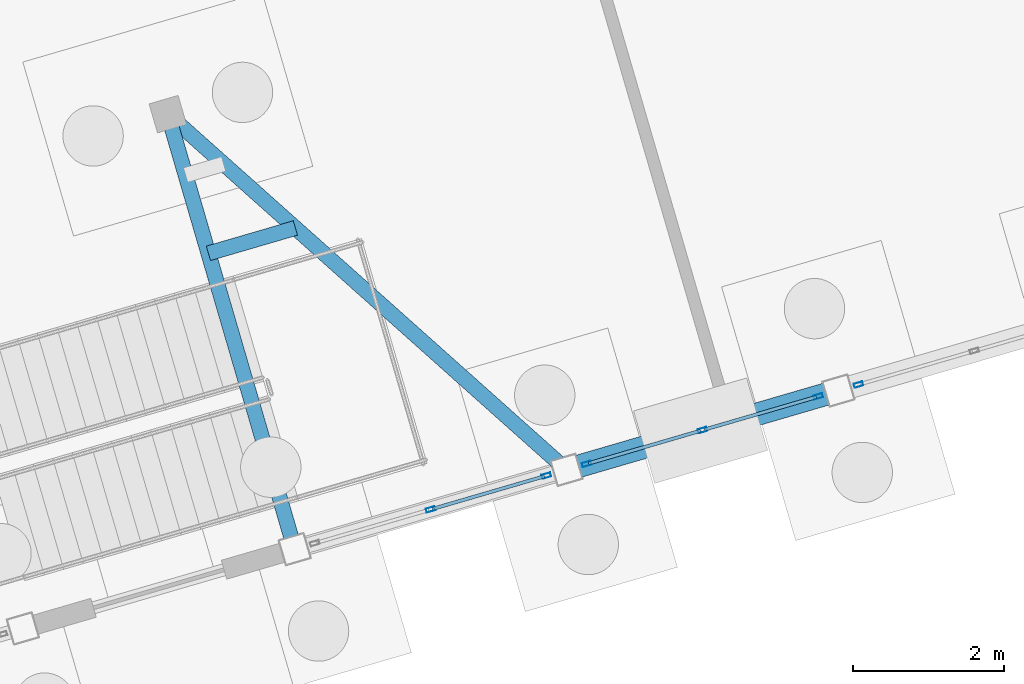
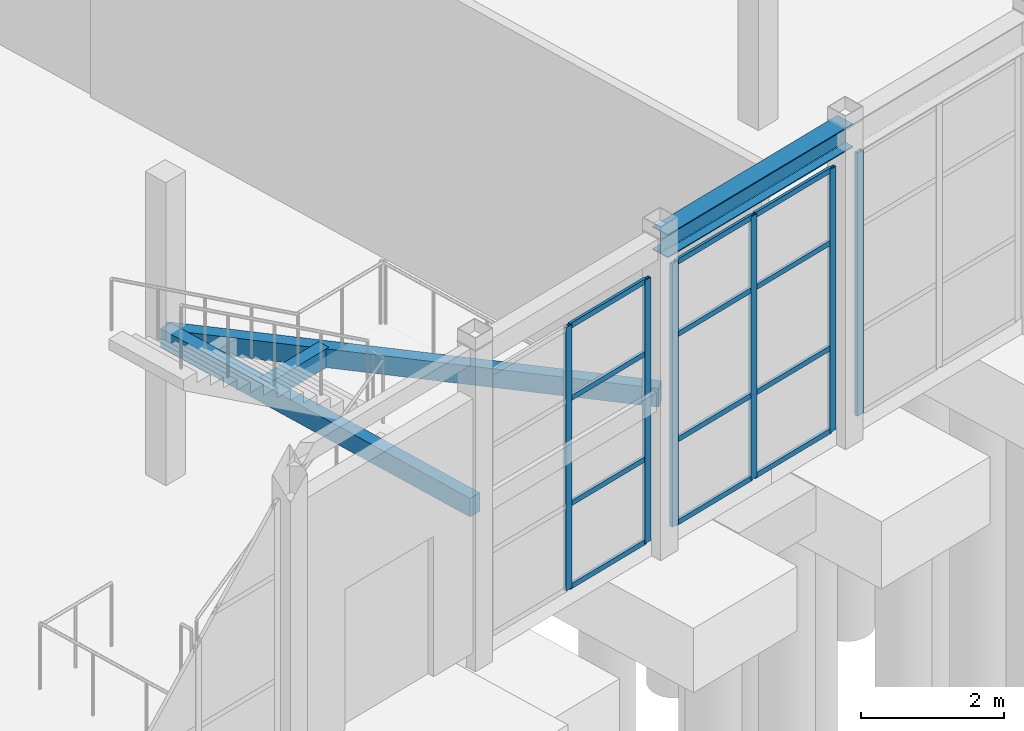
# One storey, part 33 of 90: 18 members, 4 beams, 3 elements without a shape of their own.
"""IFC4 building model written with IfcOpenShell, lengths in metres."""

import ifcopenshell
import ifcopenshell.guid

model = None  # the IFC model being written
_history = None  # IfcOwnerHistory: only IFC2X3 demands one
_inside = {}  # id of a spatial element -> (the spatial element, [elements in it])
_under = {}  # id of a project, library or spatial element -> (it, [spatial elements below it])
_declared = {}  # id of a project -> (the project, [libraries it declares])
_typed = {}  # id of a type object -> (the type object, [elements of that type])
_made_of = {}  # id of a material, layer set ... -> (it, [elements and type objects made of it])


def new_model(schema):
    """Start an empty IFC model of exactly this schema.

    Asked for "IFC4X3", IfcOpenShell would pick the latest addendum, in which some entities
    have other attributes; the version numbers below select the first issue.
    IFC2X3 requires an IfcOwnerHistory on every rooted entity: one is made here for all.
    """
    global model, _history
    if schema == "IFC4X3":
        model = ifcopenshell.file(schema_version=(4, 3, 0, 0))
    else:
        model = ifcopenshell.file(schema=schema)
    _inside.clear()
    _under.clear()
    _declared.clear()
    _typed.clear()
    _made_of.clear()
    _history = None
    if model.schema == "IFC2X3":
        org = make("IfcOrganization", Name="unknown")
        user = make(
            "IfcPersonAndOrganization",
            ThePerson=make("IfcPerson", FamilyName="unknown"),
            TheOrganization=org,
        )
        app = make(
            "IfcApplication",
            ApplicationDeveloper=org,
            Version="unknown",
            ApplicationFullName="unknown",
            ApplicationIdentifier="unknown",
        )
        _history = make(
            "IfcOwnerHistory",
            OwningUser=user,
            OwningApplication=app,
            ChangeAction="ADDED",
            CreationDate=0,
        )
    return model


def make(cls, **values):
    """One entity of the class cls with the attributes given. An attribute that is None is left unset."""
    return model.create_entity(
        cls, **{name: value for name, value in values.items() if value is not None}
    )


def rooted(cls, **values):
    """An entity with a GlobalId (a new one), such as an element, a storey or a relation."""
    return make(cls, GlobalId=ifcopenshell.guid.new(), OwnerHistory=_history, **values)


def si_unit(unit_type, name, prefix=None):
    """IfcSIUnit, for example si_unit("LENGTHUNIT", "METRE", prefix="MILLI")."""
    return make("IfcSIUnit", UnitType=unit_type, Prefix=prefix, Name=name)


def assignment(units):
    """IfcUnitAssignment: the units of a project."""
    return None if units is None else make("IfcUnitAssignment", Units=units)


def point(xyz):
    """IfcCartesianPoint."""
    return None if xyz is None else make("IfcCartesianPoint", Coordinates=xyz)


def direction(xyz):
    """IfcDirection."""
    return None if xyz is None else make("IfcDirection", DirectionRatios=xyz)


def frame(location, z_axis=None, x_axis=None):
    """IfcAxis2Placement3D, a coordinate frame: its origin and axes. An axis left out is left unset."""
    return make(
        "IfcAxis2Placement3D",
        Location=point(location),
        Axis=direction(z_axis),
        RefDirection=direction(x_axis),
    )


def frame_2d(location, x_axis=None):
    """IfcAxis2Placement2D, a coordinate frame in the plane: its origin and x axis."""
    return make(
        "IfcAxis2Placement2D", Location=point(location), RefDirection=direction(x_axis)
    )


def origin():
    """The frame at (0, 0, 0) with its axes left unset."""
    return frame((0.0, 0.0, 0.0))


def origin_2d():
    """The frame at (0, 0) in the plane with its x axis left unset."""
    return frame_2d((0.0, 0.0))


def place(relative_to, where):
    """IfcLocalPlacement: puts the frame where relative to a parent placement (None: the world)."""
    return make(
        "IfcLocalPlacement", PlacementRelTo=relative_to, RelativePlacement=where
    )


def context(
    kind, dimensions, precision=None, world=None, true_north=None, identifier=None
):
    """IfcGeometricRepresentationContext, for example the 3D "Model" context."""
    return make(
        "IfcGeometricRepresentationContext",
        ContextIdentifier=identifier,
        ContextType=kind,
        CoordinateSpaceDimension=dimensions,
        Precision=precision,
        WorldCoordinateSystem=world,
        TrueNorth=true_north,
    )


def subcontext(parent, identifier, kind, view, scale=None):
    """IfcGeometricRepresentationSubContext, for example "Body" below "Model"."""
    return make(
        "IfcGeometricRepresentationSubContext",
        ContextIdentifier=identifier,
        ContextType=kind,
        ParentContext=parent,
        TargetScale=scale,
        TargetView=view,
    )


def project(units=None, contexts=None):
    """IfcProject with its units and contexts."""
    return rooted(
        "IfcProject",
        Name="project",
        RepresentationContexts=contexts,
        UnitsInContext=assignment(units),
    )


def spatial(cls, under=None, at=None, **own):
    """A site, building, storey or space (cls), placed at a placement, below another one or the project."""
    s = rooted(cls, ObjectPlacement=at, **own)
    if under is not None:
        _under.setdefault(under.id(), (under, []))[1].append(s)
    return s


def profile(cls, at=None, kind="AREA", **sizes):
    """A parametric profile (cls). Its sizes go by their IFC names, for example OverallWidth=200.0."""
    return make(cls, ProfileType=kind, Position=at, **sizes)


def rectangle(**sizes):
    """IfcRectangleProfileDef."""
    return profile("IfcRectangleProfileDef", **sizes)


def hollow_rectangle(**sizes):
    """IfcRectangleHollowProfileDef."""
    return profile("IfcRectangleHollowProfileDef", **sizes)


def i_section(**sizes):
    """IfcIShapeProfileDef."""
    return profile("IfcIShapeProfileDef", **sizes)


def extrude(swept, where, along, depth):
    """IfcExtrudedAreaSolid: the profile swept, set in the frame where, extruded along a direction by depth."""
    return make(
        "IfcExtrudedAreaSolid",
        SweptArea=swept,
        Position=where,
        ExtrudedDirection=direction(along),
        Depth=depth,
    )


def shape(context_of_items, identifier, shape_type, items):
    """IfcShapeRepresentation: the items that make up one representation, for example the "Body"."""
    return make(
        "IfcShapeRepresentation",
        ContextOfItems=context_of_items,
        RepresentationIdentifier=identifier,
        RepresentationType=shape_type,
        Items=items,
    )


def material(Name=None, Category=None):
    """IfcMaterial."""
    return make("IfcMaterial", Name=Name, Category=Category)


def layer(
    of_material, thickness, ventilated=None, Name=None, Category=None, Priority=None
):
    """IfcMaterialLayer: one layer of a wall or slab, of a material (None: an air gap)."""
    return make(
        "IfcMaterialLayer",
        Material=of_material,
        LayerThickness=thickness,
        IsVentilated=ventilated,
        Name=Name,
        Category=Category,
        Priority=Priority,
    )


def layer_set(layers, Name=None):
    """IfcMaterialLayerSet."""
    return make("IfcMaterialLayerSet", MaterialLayers=layers, LayerSetName=Name)


def material_profile(
    of_material, cross_section, Name=None, Category=None, Priority=None
):
    """IfcMaterialProfile: a cross section and its material."""
    return make(
        "IfcMaterialProfile",
        Name=Name,
        Material=of_material,
        Profile=cross_section,
        Priority=Priority,
        Category=Category,
    )


def profile_set(profiles, Name=None, composite=None):
    """IfcMaterialProfileSet."""
    return make(
        "IfcMaterialProfileSet",
        Name=Name,
        MaterialProfiles=profiles,
        CompositeProfile=composite,
    )


def made_of(thing, what):
    """Note that an element or type object is made of a material, layer set ...; save() writes the relation."""
    if what is not None:
        _made_of.setdefault(what.id(), (what, []))[1].append(thing)
    return thing


def type_object(cls, material=None, **own):
    """A type object (cls), such as IfcWallType, which elements share."""
    return made_of(rooted(cls, **own), material)


def element(
    cls,
    number,
    at=None,
    inside=None,
    cuts=None,
    type_object=None,
    material=None,
    context=None,
    identifier="Body",
    shape_type=None,
    held_by="IfcProductDefinitionShape",
    body=None,
    shapes=None,
    **own,
):
    """One element of the class cls, such as IfcWall. Its Tag is "e" and its number.

    at: its placement. inside: the storey or other place that contains it. cuts: it is an
    opening in that element (IfcRelVoidsElement). A single representation is given by context,
    identifier, shape_type and body (its items); several are given by shapes. held_by: the class
    of the entity that holds the representations. save() writes the other relations.
    """
    e = rooted(cls, Tag="e%d" % number, ObjectPlacement=at, **own)
    if body is not None:
        shapes = [shape(context, identifier, shape_type, body)]
    if shapes is not None:
        e.Representation = make(held_by, Representations=shapes)
    if inside is not None:
        _inside.setdefault(inside.id(), (inside, []))[1].append(e)
    if cuts is not None:
        rooted(
            "IfcRelVoidsElement", RelatingBuildingElement=cuts, RelatedOpeningElement=e
        )
    if type_object is not None:
        _typed.setdefault(type_object.id(), (type_object, []))[1].append(e)
    return made_of(e, material)


def aggregate(whole, parts):
    """IfcRelAggregates: a whole, such as a stair, and the parts it consists of."""
    return rooted("IfcRelAggregates", RelatingObject=whole, RelatedObjects=parts)


def save(model, path):
    """Write the relations noted so far, then the file.

    IfcRelAggregates (storeys below a building ...), IfcRelContainedInSpatialStructure (elements
    in a storey), IfcRelDefinesByType, IfcRelAssociatesMaterial and IfcRelDeclares: one each for
    every whole, place, type object, material and project.
    """
    for whole, parts in _under.values():
        aggregate(whole, parts)
    for where, things in _inside.values():
        rooted(
            "IfcRelContainedInSpatialStructure",
            RelatedElements=things,
            RelatingStructure=where,
        )
    for kind, things in _typed.values():
        rooted("IfcRelDefinesByType", RelatedObjects=things, RelatingType=kind)
    for what, things in _made_of.values():
        rooted("IfcRelAssociatesMaterial", RelatedObjects=things, RelatingMaterial=what)
    for by, libraries in _declared.values():
        rooted("IfcRelDeclares", RelatingContext=by, RelatedDefinitions=libraries)
    model.write(path)


model = new_model("IFC4")

# Units and contexts
model_context = context("Model", 3, precision=1e-05, world=origin(), true_north=direction((0.0, 1.0)))
body_context = subcontext(model_context, "Body", "Model", "MODEL_VIEW")
ifc_project = project(units=[si_unit("LENGTHUNIT", "METRE"), si_unit("AREAUNIT", "SQUARE_METRE"), si_unit("VOLUMEUNIT", "CUBIC_METRE"), si_unit("PLANEANGLEUNIT", "RADIAN"), si_unit("MASSUNIT", "GRAM", prefix="KILO")], contexts=[model_context])

# Site, building, storey
site_placement = place(None, origin())
site = spatial("IfcSite", under=ifc_project, at=site_placement, CompositionType="ELEMENT")
building_placement = place(site_placement, origin())
building = spatial("IfcBuilding", under=site, at=building_placement, Name="Canggui Botanical Conservatory", CompositionType="ELEMENT")
storey_placement = place(building_placement, origin())
storey = spatial("IfcBuildingStorey", under=building, at=storey_placement, Name="L01", CompositionType="ELEMENT", Elevation=0.0)

# Beams
ifc_material_1 = material(Name="Steel Q355B", Category="steel")
ifc_material_profile_1 = material_profile(ifc_material_1, i_section(OverallWidth=0.300048828125, OverallDepth=0.39990234375, WebThickness=0.010009765625, FlangeThickness=0.01611328125, FilletRadius=0.02197265625, at=origin_2d()), Name="HM 400x300x10x16")
ifc_profile_set_1 = profile_set([ifc_material_profile_1], Name="Steel Q355B")
beam_type_1 = type_object("IfcBeamType", Name="BM-GL03", PredefinedType="BEAM", material=ifc_profile_set_1)
beam_1_placement = place(storey_placement, frame((52.39990234375, 51.449951171875, 4.97509765625), z_axis=(0.959998541695, 0.280004999853, 0.0), x_axis=(-0.280004999853, 0.959998541695, 0.0)))
element("IfcBeam", 1, at=beam_1_placement, inside=storey, type_object=beam_type_1, Name="Conservatory Skywalk Perimeter Girder V0-10", PredefinedType="BEAM", context=body_context, shape_type="SweptSolid", body=[
    extrude(i_section(OverallWidth=0.300048828125, OverallDepth=0.39990234375, WebThickness=0.010009765625, FlangeThickness=0.01611328125, FilletRadius=0.02197265625, at=origin_2d()), origin(), (0.0, 0.0, 1.0), 3.75),
])
ifc_material_2 = material(Name="Concrete C35", Category="concrete")
ifc_material_profile_2 = material_profile(ifc_material_2, rectangle(XDim=0.199951171875, YDim=0.320068359375, at=origin_2d()), Name="RB 200x320")
ifc_profile_set_2 = profile_set([ifc_material_profile_2], Name="Concrete C35")
beam_type_2 = type_object("IfcBeamType", Name="BM-LIN02", PredefinedType="LINTEL", material=ifc_profile_set_2)
beam_2_placement = place(storey_placement, frame((48.800048828125, 50.39990234375, 2.3798828125), z_axis=(-0.279989062464, 0.960003190047, 0.0), x_axis=(-0.960003190047, -0.279989062464, 0.0)))
element("IfcBeam", 2, at=beam_2_placement, inside=storey, type_object=beam_type_2, Name="ST-C1 Landing Trimmer 1", PredefinedType="LINTEL", context=body_context, shape_type="SweptSolid", body=[
    extrude(rectangle(XDim=0.199951171875, YDim=0.320068359375, at=origin_2d()), origin(), (0.0, 0.0, 1.0), 6.0),
])
beam_3_placement = place(storey_placement, frame((52.39990234375, 51.449951171875, 2.3798828125), z_axis=(-0.746227794269, 0.665690678213, 0.0), x_axis=(-0.665690678213, -0.746227794269, 0.0)))
element("IfcBeam", 3, at=beam_3_placement, inside=storey, type_object=beam_type_2, Name="ST-C1 Landing Trimmer 2", PredefinedType="LINTEL", context=body_context, shape_type="SweptSolid", body=[
    extrude(rectangle(XDim=0.199951171875, YDim=0.320068359375, at=origin_2d()), origin(), (0.0, 0.0, 1.0), 7.0751953125),
])
beam_4_placement = place(storey_placement, frame((47.65771484375, 54.31689453125, 2.3798828125), z_axis=(0.960004557758, 0.279984372928, 0.0), x_axis=(-0.279984372928, 0.960004557758, 0.0)))
element("IfcBeam", 4, at=beam_4_placement, inside=storey, type_object=beam_type_2, Name="ST-C1 Landing Cross Tie 1", PredefinedType="LINTEL", context=body_context, shape_type="SweptSolid", body=[
    extrude(rectangle(XDim=0.199951171875, YDim=0.320068359375, at=origin_2d()), origin(), (0.0, 0.0, 1.0), 1.199951171875),
])

# Curtain wall, members
ifc_material_3 = material(Name="Thermally Broken Aluminium", Category="aluminium")
ifc_layer = layer(ifc_material_3, 0.1201171875, Name="Thermally Broken Aluminium", Category="aluminium")
ifc_layer_set = layer_set([ifc_layer], Name="Thermally Broken Aluminium")
curtain_wall_type = type_object("IfcCurtainWallType", Name="CW-STICK-B", PredefinedType="USERDEFINED", material=ifc_layer_set)
curtain_wall_1_placement = place(storey_placement, origin())
curtain_wall_1 = element("IfcCurtainWall", 5, at=curtain_wall_1_placement, inside=storey, type_object=curtain_wall_type, Name="Facade Curtain Wall CW-CONS-L01-V0-09", ObjectType="STICK GLAZED WALL", PredefinedType="USERDEFINED")
ifc_material_profile_3 = material_profile(ifc_material_3, hollow_rectangle(XDim=0.054931640625, YDim=0.1201171875, WallThickness=0.0029296875, at=origin_2d()), Name="CWM 55x120x3")
ifc_profile_set_3 = profile_set([ifc_material_profile_3], Name="Thermally Broken Aluminium")
member_type_1 = type_object("IfcMemberType", Name="CWM-05", PredefinedType="MULLION", material=ifc_profile_set_3)
member_1_placement = place(storey_placement, frame((52.133544921875, 51.372314453125, 0.0), z_axis=(0.0, 0.0, 1.0), x_axis=(0.279999999995, -0.960000000002, 0.0)))
member_1 = element("IfcMember", 6, at=member_1_placement, type_object=member_type_1, Name="CW-05 mullion 1", PredefinedType="MULLION", context=body_context, shape_type="SweptSolid", body=[
    extrude(hollow_rectangle(XDim=0.054931640625, YDim=0.1201171875, WallThickness=0.0029296875, at=origin_2d()), origin(), (0.0, 0.0, 1.0), 4.5),
])
member_2_placement = place(storey_placement, frame((50.60009765625, 50.925048828125, 0.0), z_axis=(0.0, 0.0, 1.0), x_axis=(0.279999999995, -0.960000000002, 0.0)))
member_2 = element("IfcMember", 7, at=member_2_placement, type_object=member_type_1, Name="CW-05 mullion 2", PredefinedType="MULLION", context=body_context, shape_type="SweptSolid", body=[
    extrude(hollow_rectangle(XDim=0.054931640625, YDim=0.1201171875, WallThickness=0.0029296875, at=origin_2d()), origin(), (0.0, 0.0, 1.0), 4.5),
])

curtain_wall_2_placement = place(storey_placement, origin())
curtain_wall_2 = element("IfcCurtainWall", 8, at=curtain_wall_2_placement, inside=storey, type_object=curtain_wall_type, Name="Facade Curtain Wall CW-CONS-L01-V0-10", ObjectType="STICK GLAZED WALL", PredefinedType="USERDEFINED")
member_3_placement = place(storey_placement, frame((55.733642578125, 52.42236328125, 0.0), z_axis=(0.0, 0.0, 1.0), x_axis=(0.279999999995, -0.960000000002, 0.0)))
member_3 = element("IfcMember", 9, at=member_3_placement, type_object=member_type_1, Name="CW-05 mullion 1", PredefinedType="MULLION", context=body_context, shape_type="SweptSolid", body=[
    extrude(hollow_rectangle(XDim=0.054931640625, YDim=0.1201171875, WallThickness=0.0029296875, at=origin_2d()), origin(), (0.0, 0.0, 1.0), 4.5),
])
member_4_placement = place(storey_placement, frame((54.199951171875, 51.97509765625, 0.0), z_axis=(0.0, 0.0, 1.0), x_axis=(0.279999999995, -0.960000000002, 0.0)))
member_4 = element("IfcMember", 10, at=member_4_placement, type_object=member_type_1, Name="CW-05 mullion 2", PredefinedType="MULLION", context=body_context, shape_type="SweptSolid", body=[
    extrude(hollow_rectangle(XDim=0.054931640625, YDim=0.1201171875, WallThickness=0.0029296875, at=origin_2d()), origin(), (0.0, 0.0, 1.0), 4.5),
])
member_5_placement = place(storey_placement, frame((52.66650390625, 51.527587890625, 0.0), z_axis=(0.0, 0.0, 1.0), x_axis=(0.279999999995, -0.960000000002, 0.0)))
member_5 = element("IfcMember", 11, at=member_5_placement, type_object=member_type_1, Name="CW-05 mullion 3", PredefinedType="MULLION", context=body_context, shape_type="SweptSolid", body=[
    extrude(hollow_rectangle(XDim=0.054931640625, YDim=0.1201171875, WallThickness=0.0029296875, at=origin_2d()), origin(), (0.0, 0.0, 1.0), 4.5),
])

# Curtain wall, member
curtain_wall_3_placement = place(storey_placement, origin())
curtain_wall_3 = element("IfcCurtainWall", 12, at=curtain_wall_3_placement, inside=storey, type_object=curtain_wall_type, Name="Facade Curtain Wall CW-CONS-L01-V0-11", ObjectType="STICK GLAZED WALL", PredefinedType="USERDEFINED")
member_6_placement = place(storey_placement, frame((56.266357421875, 52.57763671875, 0.0), z_axis=(0.0, 0.0, 1.0), x_axis=(0.279999999995, -0.960000000002, 0.0)))
member_6 = element("IfcMember", 13, at=member_6_placement, type_object=member_type_1, Name="CW-05 mullion 3", PredefinedType="MULLION", context=body_context, shape_type="SweptSolid", body=[
    extrude(hollow_rectangle(XDim=0.054931640625, YDim=0.1201171875, WallThickness=0.0029296875, at=origin_2d()), origin(), (0.0, 0.0, 1.0), 4.5),
])
aggregate(curtain_wall_3, [member_6])

# Member
ifc_material_profile_4 = material_profile(ifc_material_3, hollow_rectangle(XDim=0.044921875, YDim=0.090087890625, WallThickness=0.0029296875, at=origin_2d()), Name="CWT 45x90x3")
ifc_profile_set_4 = profile_set([ifc_material_profile_4], Name="Thermally Broken Aluminium")
member_type_2 = type_object("IfcMemberType", Name="CWT-05", PredefinedType="USERDEFINED", material=ifc_profile_set_4)
member_7_placement = place(storey_placement, frame((52.107177734375, 51.364501953125, 0.0224609375), z_axis=(-0.959998227189, -0.280006078137, 0.0), x_axis=(0.280006078137, -0.959998227189, 0.0)))
member_7 = element("IfcMember", 14, at=member_7_placement, type_object=member_type_2, Name="CW-05 transom 1.1", ObjectType="TRANSOM", PredefinedType="USERDEFINED", context=body_context, shape_type="SweptSolid", body=[
    extrude(hollow_rectangle(XDim=0.044921875, YDim=0.090087890625, WallThickness=0.0029296875, at=origin_2d()), origin(), (0.0, 0.0, 1.0), 1.54248046875),
])

member_8_placement = place(storey_placement, frame((52.107177734375, 51.364501953125, 1.43994140625), z_axis=(-0.959998227189, -0.280006078137, 0.0), x_axis=(0.280006078137, -0.959998227189, 0.0)))
member_8 = element("IfcMember", 15, at=member_8_placement, type_object=member_type_2, Name="CW-05 transom 1.2", ObjectType="TRANSOM", PredefinedType="USERDEFINED", context=body_context, shape_type="SweptSolid", body=[
    extrude(hollow_rectangle(XDim=0.044921875, YDim=0.090087890625, WallThickness=0.0029296875, at=origin_2d()), origin(), (0.0, 0.0, 1.0), 1.54248046875),
])

member_9_placement = place(storey_placement, frame((52.107177734375, 51.364501953125, 3.239990234375), z_axis=(-0.959998227189, -0.280006078137, 0.0), x_axis=(0.280006078137, -0.959998227189, 0.0)))
member_9 = element("IfcMember", 16, at=member_9_placement, type_object=member_type_2, Name="CW-05 transom 1.3", ObjectType="TRANSOM", PredefinedType="USERDEFINED", context=body_context, shape_type="SweptSolid", body=[
    extrude(hollow_rectangle(XDim=0.044921875, YDim=0.090087890625, WallThickness=0.0029296875, at=origin_2d()), origin(), (0.0, 0.0, 1.0), 1.54248046875),
])

member_10_placement = place(storey_placement, frame((52.107177734375, 51.364501953125, 4.4775390625), z_axis=(-0.959998227189, -0.280006078137, 0.0), x_axis=(0.280006078137, -0.959998227189, 0.0)))
member_10 = element("IfcMember", 17, at=member_10_placement, type_object=member_type_2, Name="CW-05 transom 1.4", ObjectType="TRANSOM", PredefinedType="USERDEFINED", context=body_context, shape_type="SweptSolid", body=[
    extrude(hollow_rectangle(XDim=0.044921875, YDim=0.090087890625, WallThickness=0.0029296875, at=origin_2d()), origin(), (0.0, 0.0, 1.0), 1.54248046875),
])

aggregate(curtain_wall_1, [member_1, member_2, member_7, member_8, member_9, member_10])

member_11_placement = place(storey_placement, frame((55.707275390625, 52.41455078125, 0.0224609375), z_axis=(-0.96001063444, -0.279963536486, 0.0), x_axis=(0.279963536486, -0.96001063444, 0.0)))
member_11 = element("IfcMember", 18, at=member_11_placement, type_object=member_type_2, Name="CW-05 transom 1.1", ObjectType="TRANSOM", PredefinedType="USERDEFINED", context=body_context, shape_type="SweptSolid", body=[
    extrude(hollow_rectangle(XDim=0.044921875, YDim=0.090087890625, WallThickness=0.0029296875, at=origin_2d()), origin(), (0.0, 0.0, 1.0), 1.542724609375),
])

member_12_placement = place(storey_placement, frame((55.707275390625, 52.41455078125, 1.43994140625), z_axis=(-0.96001063444, -0.279963536486, 0.0), x_axis=(0.279963536486, -0.96001063444, 0.0)))
member_12 = element("IfcMember", 19, at=member_12_placement, type_object=member_type_2, Name="CW-05 transom 1.2", ObjectType="TRANSOM", PredefinedType="USERDEFINED", context=body_context, shape_type="SweptSolid", body=[
    extrude(hollow_rectangle(XDim=0.044921875, YDim=0.090087890625, WallThickness=0.0029296875, at=origin_2d()), origin(), (0.0, 0.0, 1.0), 1.542724609375),
])

member_13_placement = place(storey_placement, frame((55.707275390625, 52.41455078125, 3.239990234375), z_axis=(-0.96001063444, -0.279963536486, 0.0), x_axis=(0.279963536486, -0.96001063444, 0.0)))
member_13 = element("IfcMember", 20, at=member_13_placement, type_object=member_type_2, Name="CW-05 transom 1.3", ObjectType="TRANSOM", PredefinedType="USERDEFINED", context=body_context, shape_type="SweptSolid", body=[
    extrude(hollow_rectangle(XDim=0.044921875, YDim=0.090087890625, WallThickness=0.0029296875, at=origin_2d()), origin(), (0.0, 0.0, 1.0), 1.542724609375),
])

member_14_placement = place(storey_placement, frame((55.707275390625, 52.41455078125, 4.4775390625), z_axis=(-0.96001063444, -0.279963536486, 0.0), x_axis=(0.279963536486, -0.96001063444, 0.0)))
member_14 = element("IfcMember", 21, at=member_14_placement, type_object=member_type_2, Name="CW-05 transom 1.4", ObjectType="TRANSOM", PredefinedType="USERDEFINED", context=body_context, shape_type="SweptSolid", body=[
    extrude(hollow_rectangle(XDim=0.044921875, YDim=0.090087890625, WallThickness=0.0029296875, at=origin_2d()), origin(), (0.0, 0.0, 1.0), 1.542724609375),
])

member_15_placement = place(storey_placement, frame((54.173583984375, 51.96728515625, 0.0224609375), z_axis=(-0.959998227189, -0.280006078137, 0.0), x_axis=(0.280006078137, -0.959998227189, 0.0)))
member_15 = element("IfcMember", 22, at=member_15_placement, type_object=member_type_2, Name="CW-05 transom 2.1", ObjectType="TRANSOM", PredefinedType="USERDEFINED", context=body_context, shape_type="SweptSolid", body=[
    extrude(hollow_rectangle(XDim=0.044921875, YDim=0.090087890625, WallThickness=0.0029296875, at=origin_2d()), origin(), (0.0, 0.0, 1.0), 1.54248046875),
])

member_16_placement = place(storey_placement, frame((54.173583984375, 51.96728515625, 1.43994140625), z_axis=(-0.959998227189, -0.280006078137, 0.0), x_axis=(0.280006078137, -0.959998227189, 0.0)))
member_16 = element("IfcMember", 23, at=member_16_placement, type_object=member_type_2, Name="CW-05 transom 2.2", ObjectType="TRANSOM", PredefinedType="USERDEFINED", context=body_context, shape_type="SweptSolid", body=[
    extrude(hollow_rectangle(XDim=0.044921875, YDim=0.090087890625, WallThickness=0.0029296875, at=origin_2d()), origin(), (0.0, 0.0, 1.0), 1.54248046875),
])

member_17_placement = place(storey_placement, frame((54.173583984375, 51.96728515625, 3.239990234375), z_axis=(-0.959998227189, -0.280006078137, 0.0), x_axis=(0.280006078137, -0.959998227189, 0.0)))
member_17 = element("IfcMember", 24, at=member_17_placement, type_object=member_type_2, Name="CW-05 transom 2.3", ObjectType="TRANSOM", PredefinedType="USERDEFINED", context=body_context, shape_type="SweptSolid", body=[
    extrude(hollow_rectangle(XDim=0.044921875, YDim=0.090087890625, WallThickness=0.0029296875, at=origin_2d()), origin(), (0.0, 0.0, 1.0), 1.54248046875),
])

member_18_placement = place(storey_placement, frame((54.173583984375, 51.96728515625, 4.4775390625), z_axis=(-0.959998227189, -0.280006078137, 0.0), x_axis=(0.280006078137, -0.959998227189, 0.0)))
member_18 = element("IfcMember", 25, at=member_18_placement, type_object=member_type_2, Name="CW-05 transom 2.4", ObjectType="TRANSOM", PredefinedType="USERDEFINED", context=body_context, shape_type="SweptSolid", body=[
    extrude(hollow_rectangle(XDim=0.044921875, YDim=0.090087890625, WallThickness=0.0029296875, at=origin_2d()), origin(), (0.0, 0.0, 1.0), 1.54248046875),
])

aggregate(curtain_wall_2, [member_3, member_4, member_5, member_11, member_12, member_13, member_14, member_15, member_16, member_17, member_18])

save(model, "model.ifc")
